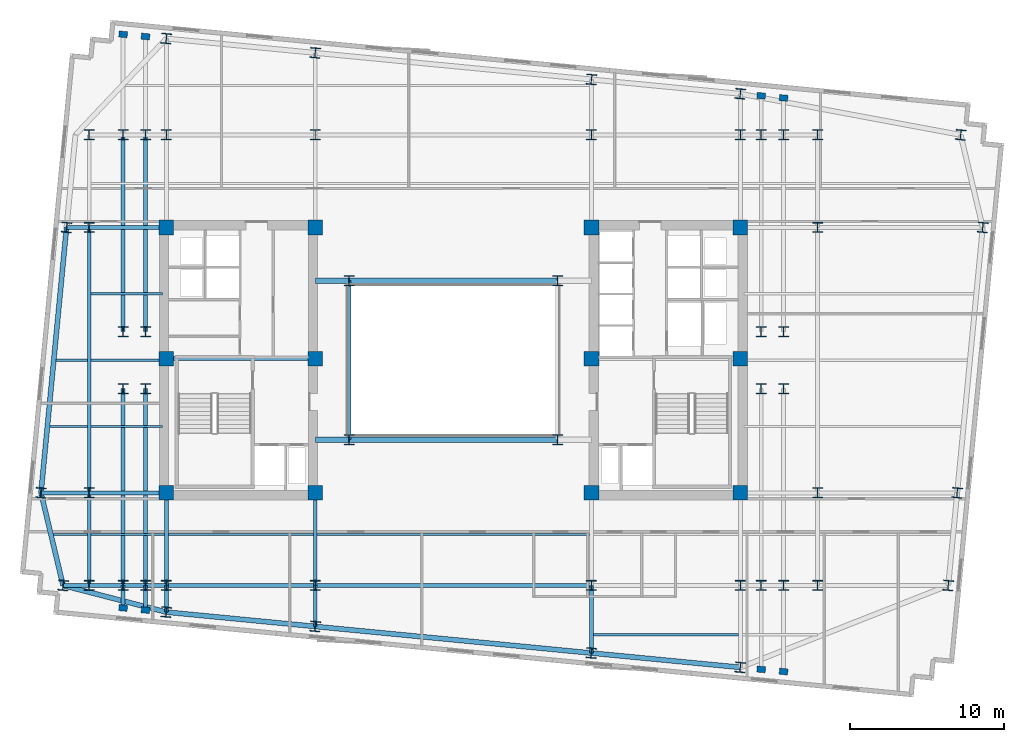
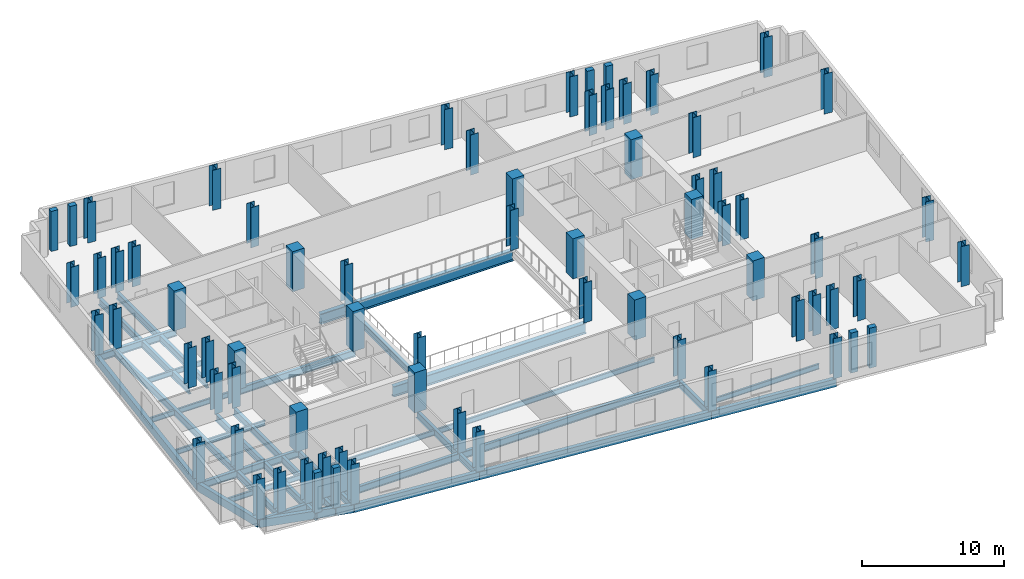
# One storey, part 1 of 9: 71 columns, 43 beams.
"""IFC4 building model written with IfcOpenShell, lengths in metres."""

from ifc_helpers import new_model, si_unit, direction, frame, origin, origin_2d, place, context, subcontext, project, spatial, rectangle, i_section, extrude, material, material_profile, profile_set, type_object, element, save


model = new_model("IFC4")

# Units and contexts
model_context = context("Model", 3, precision=1e-05, world=origin(), true_north=direction((0.0, 1.0)))
body_context = subcontext(model_context, "Body", "Model", "MODEL_VIEW")
ifc_project = project(units=[si_unit("LENGTHUNIT", "METRE"), si_unit("AREAUNIT", "SQUARE_METRE"), si_unit("VOLUMEUNIT", "CUBIC_METRE"), si_unit("PLANEANGLEUNIT", "RADIAN"), si_unit("MASSUNIT", "GRAM", prefix="KILO")], contexts=[model_context])

# Site, building, storey
site_placement = place(None, origin())
site = spatial("IfcSite", under=ifc_project, at=site_placement, CompositionType="ELEMENT")
building_placement = place(site_placement, origin())
building = spatial("IfcBuilding", under=site, at=building_placement, Name="Velakula Bourse", CompositionType="ELEMENT")
storey_placement = place(building_placement, frame((0.0, 0.0, 177.64990234375)))
storey = spatial("IfcBuildingStorey", under=building, at=storey_placement, Name="L48", CompositionType="ELEMENT", Elevation=177.64990234375)

# Columns
ifc_material_1 = material(Name="Concrete M70 (fck 70 MPa)", Category="concrete")
ifc_material_profile_1 = material_profile(ifc_material_1, rectangle(XDim=0.949951171875, YDim=0.949951171875, at=origin_2d()), Name="Concrete M70 (fck 70 MPa)")
ifc_profile_set_1 = profile_set([ifc_material_profile_1], Name="Concrete M70 (fck 70 MPa)")
column_type_1 = type_object("IfcColumnType", Name="COL-RC-950", PredefinedType="COLUMN", material=ifc_profile_set_1)
for number, where, z_axis, x_axis, name in (
    (1, (-8.949951171875, -8.60009765625, 0.0), (0.0, 0.0, 1.0), (1.0, 0.0, 0.0), "L48 Core Boundary Column 01"),
    (2, (-8.949951171875, 0.10009765625, 0.0), (0.0, 0.0, 1.0), (1.0, 0.0, 0.0), "L48 Core Boundary Column 02"),
    (3, (-8.949951171875, 8.60009765625, 0.0), (0.0, 0.0, 1.0), (1.0, 0.0, 0.0), "L48 Core Boundary Column 03"),
    (4, (-18.60009765625, -8.60009765625, 0.0), (0.0, 0.0, 1.0), (1.0, 0.0, 0.0), "L48 Core Boundary Column 04"),
    (5, (-18.60009765625, 0.10009765625, 0.0), (0.0, 0.0, 1.0), (1.0, 0.0, 0.0), "L48 Core Boundary Column 05"),
    (6, (-18.60009765625, 8.60009765625, 0.0), (0.0, 0.0, 1.0), (1.0, 0.0, 0.0), "L48 Core Boundary Column 06"),
    (7, (8.949951171875, -8.60009765625, 0.0), (0.0, 0.0, 1.0), (1.0, 0.0, 0.0), "L48 Core Boundary Column 07"),
    (8, (8.949951171875, 0.10009765625, 0.0), (0.0, 0.0, 1.0), (1.0, 0.0, 0.0), "L48 Core Boundary Column 08"),
    (9, (8.949951171875, 8.60009765625, 0.0), (0.0, 0.0, 1.0), (1.0, 0.0, 0.0), "L48 Core Boundary Column 09"),
    (10, (18.60009765625, -8.60009765625, 0.0), (0.0, 0.0, 1.0), (1.0, 0.0, 0.0), "L48 Core Boundary Column 10"),
    (11, (18.60009765625, 0.10009765625, 0.0), (0.0, 0.0, 1.0), (1.0, 0.0, 0.0), "L48 Core Boundary Column 11"),
    (12, (18.60009765625, 8.60009765625, 0.0), (0.0, 0.0, 1.0), (1.0, 0.0, 0.0), "L48 Core Boundary Column 12"),
):
    element("IfcColumn", number, at=place(storey_placement, frame(where, z_axis=z_axis, x_axis=x_axis)), inside=storey, type_object=column_type_1, Name=name, PredefinedType="COLUMN", context=body_context, shape_type="SweptSolid", body=[
        extrude(rectangle(XDim=0.949951171875, YDim=0.949951171875, at=origin_2d()), origin(), (0.0, 0.0, 1.0), 3.4501953125),
    ])
ifc_material_2 = material(Name="Steel IS 2062 Grade 350 (E350)", Category="steel")
ifc_material_profile_2 = material_profile(ifc_material_2, i_section(OverallWidth=0.64990234375, OverallDepth=0.64990234375, WebThickness=0.028076171875, FlangeThickness=0.0400390625, at=origin_2d()), Name="Steel IS 2062 Grade 350 (E350)")
ifc_profile_set_2 = profile_set([ifc_material_profile_2], Name="Steel IS 2062 Grade 350 (E350)")
column_type_2 = type_object("IfcColumnType", Name="COL-STL-650", PredefinedType="COLUMN", material=ifc_profile_set_2)
for number, where, z_axis, x_axis, name in (
    (13, (-6.75, -5.14990234375, 0.0), (0.0, 0.0, 1.0), (1.0, 0.0, 0.0), "L48 Central Spine Column 01"),
    (14, (-6.75, 5.14990234375, 0.0), (0.0, 0.0, 1.0), (1.0, 0.0, 0.0), "L48 Central Spine Column 02"),
    (15, (6.75, -5.14990234375, 0.0), (0.0, 0.0, 1.0), (1.0, 0.0, 0.0), "L48 Central Spine Column 03"),
    (16, (6.75, 5.14990234375, 0.0), (0.0, 0.0, 1.0), (1.0, 0.0, 0.0), "L48 Central Spine Column 04"),
    (17, (-21.39990234375, -14.60009765625, 0.0), (0.0, 0.0, 1.0), (1.0, 0.0, 0.0), "L48 Tower Fulcrum Column 01"),
    (18, (-21.39990234375, 14.60009765625, 0.0), (0.0, 0.0, 1.0), (1.0, 0.0, 0.0), "L48 Tower Fulcrum Column 02"),
    (19, (-19.949951171875, -14.60009765625, 0.0), (0.0, 0.0, 1.0), (1.0, 0.0, 0.0), "L48 Tower Fulcrum Column 03"),
    (20, (-19.949951171875, 14.60009765625, 0.0), (0.0, 0.0, 1.0), (1.0, 0.0, 0.0), "L48 Tower Fulcrum Column 04"),
    (21, (-18.60009765625, -14.60009765625, 0.0), (0.0, 0.0, 1.0), (1.0, 0.0, 0.0), "L48 Tower Fulcrum Column 05"),
    (22, (-18.60009765625, 14.60009765625, 0.0), (0.0, 0.0, 1.0), (1.0, 0.0, 0.0), "L48 Tower Fulcrum Column 06"),
    (23, (-8.949951171875, -14.60009765625, 0.0), (0.0, 0.0, 1.0), (1.0, 0.0, 0.0), "L48 Tower Fulcrum Column 07"),
    (24, (-8.949951171875, 14.60009765625, 0.0), (0.0, 0.0, 1.0), (1.0, 0.0, 0.0), "L48 Tower Fulcrum Column 08"),
    (25, (8.949951171875, -14.60009765625, 0.0), (0.0, 0.0, 1.0), (1.0, 0.0, 0.0), "L48 Tower Fulcrum Column 09"),
    (26, (8.949951171875, 14.60009765625, 0.0), (0.0, 0.0, 1.0), (1.0, 0.0, 0.0), "L48 Tower Fulcrum Column 10"),
    (27, (18.60009765625, -14.60009765625, 0.0), (0.0, 0.0, 1.0), (1.0, 0.0, 0.0), "L48 Tower Fulcrum Column 11"),
    (28, (18.60009765625, 14.60009765625, 0.0), (0.0, 0.0, 1.0), (1.0, 0.0, 0.0), "L48 Tower Fulcrum Column 12"),
    (29, (19.949951171875, -14.60009765625, 0.0), (0.0, 0.0, 1.0), (1.0, 0.0, 0.0), "L48 Tower Fulcrum Column 13"),
    (30, (19.949951171875, 14.60009765625, 0.0), (0.0, 0.0, 1.0), (1.0, 0.0, 0.0), "L48 Tower Fulcrum Column 14"),
    (31, (21.39990234375, -14.60009765625, 0.0), (0.0, 0.0, 1.0), (1.0, 0.0, 0.0), "L48 Tower Fulcrum Column 15"),
    (32, (21.39990234375, 14.60009765625, 0.0), (0.0, 0.0, 1.0), (1.0, 0.0, 0.0), "L48 Tower Fulcrum Column 16"),
    (33, (-21.39990234375, -1.85009765625, 0.0), (0.0, 0.0, 1.0), (1.0, 0.0, 0.0), "L48 Tower Fulcrum Column 17"),
    (34, (-21.39990234375, 1.85009765625, 0.0), (0.0, 0.0, 1.0), (1.0, 0.0, 0.0), "L48 Tower Fulcrum Column 18"),
    (35, (-19.949951171875, -1.85009765625, 0.0), (0.0, 0.0, 1.0), (1.0, 0.0, 0.0), "L48 Tower Fulcrum Column 19"),
    (36, (-19.949951171875, 1.85009765625, 0.0), (0.0, 0.0, 1.0), (1.0, 0.0, 0.0), "L48 Tower Fulcrum Column 20"),
    (37, (19.949951171875, -1.85009765625, 0.0), (0.0, 0.0, 1.0), (1.0, 0.0, 0.0), "L48 Tower Fulcrum Column 21"),
    (38, (19.949951171875, 1.85009765625, 0.0), (0.0, 0.0, 1.0), (1.0, 0.0, 0.0), "L48 Tower Fulcrum Column 22"),
    (39, (21.39990234375, -1.85009765625, 0.0), (0.0, 0.0, 1.0), (1.0, 0.0, 0.0), "L48 Tower Fulcrum Column 23"),
    (40, (21.39990234375, 1.85009765625, 0.0), (0.0, 0.0, 1.0), (1.0, 0.0, 0.0), "L48 Tower Fulcrum Column 24"),
    (41, (-23.60009765625, -14.60009765625, 0.0), (0.0, 0.0, 1.0), (1.0, 0.0, 0.0), "L48 Mid-Wing Plumb Column 01"),
    (42, (-23.60009765625, -8.60009765625, 0.0), (0.0, 0.0, 1.0), (1.0, 0.0, 0.0), "L48 Mid-Wing Plumb Column 02"),
    (43, (-23.60009765625, 8.60009765625, 0.0), (0.0, 0.0, 1.0), (1.0, 0.0, 0.0), "L48 Mid-Wing Plumb Column 03"),
    (44, (-23.60009765625, 14.60009765625, 0.0), (0.0, 0.0, 1.0), (1.0, 0.0, 0.0), "L48 Mid-Wing Plumb Column 04"),
    (45, (23.60009765625, -14.60009765625, 0.0), (0.0, 0.0, 1.0), (1.0, 0.0, 0.0), "L48 Mid-Wing Plumb Column 05"),
    (46, (23.60009765625, -8.60009765625, 0.0), (0.0, 0.0, 1.0), (1.0, 0.0, 0.0), "L48 Mid-Wing Plumb Column 06"),
    (47, (23.60009765625, 8.60009765625, 0.0), (0.0, 0.0, 1.0), (1.0, 0.0, 0.0), "L48 Mid-Wing Plumb Column 07"),
    (48, (23.60009765625, 14.60009765625, 0.0), (0.0, 0.0, 1.0), (1.0, 0.0, 0.0), "L48 Mid-Wing Plumb Column 08"),
    (49, (-18.60009765625, -16.32861328125, 0.0), (0.0, 0.0, 1.0), (0.995396198367, -0.09584575252, 0.0), "L48 Block B4 Perimeter Column S1"),
    (50, (-8.949951171875, -17.2578125, 0.0), (0.0, 0.0, 1.0), (0.995396198367, -0.09584575252, 0.0), "L48 Block B4 Perimeter Column S2"),
    (51, (8.949951171875, -18.9814453125, 0.0), (0.0, 0.0, 1.0), (0.995396198367, -0.09584575252, 0.0), "L48 Block B4 Perimeter Column S3"),
    (52, (18.60009765625, -19.91064453125, 0.0), (0.0, 0.0, 1.0), (0.995396198367, -0.09584575252, 0.0), "L48 Block B4 Perimeter Column S4"),
    (53, (-18.60009765625, 20.84228515625, 0.0), (0.0, 0.0, 1.0), (0.995396198367, -0.09584575252, 0.0), "L48 Block B4 Perimeter Column N1"),
    (54, (-8.949951171875, 19.9130859375, 0.0), (0.0, 0.0, 1.0), (0.995396198367, -0.09584575252, 0.0), "L48 Block B4 Perimeter Column N2"),
    (55, (8.949951171875, 18.189697265625, 0.0), (0.0, 0.0, 1.0), (0.995396198367, -0.09584575252, 0.0), "L48 Block B4 Perimeter Column N3"),
    (56, (18.60009765625, 17.260498046875, 0.0), (0.0, 0.0, 1.0), (0.995396198367, -0.09584575252, 0.0), "L48 Block B4 Perimeter Column N4"),
    (57, (-25.29296875, -14.60009765625, 0.0), (0.0, 0.0, 1.0), (0.995396198367, -0.09584575252, 0.0), "L48 Block B4 Perimeter Column W1"),
    (58, (-26.724365234375, -8.60009765625, 0.0), (0.0, 0.0, 1.0), (0.995396198367, -0.09584575252, 0.0), "L48 Block B4 Perimeter Column W2"),
    (59, (-25.068115234375, 8.60009765625, 0.0), (0.0, 0.0, 1.0), (0.995396198367, -0.09584575252, 0.0), "L48 Block B4 Perimeter Column W3"),
    (60, (32.0712890625, -14.60009765625, 0.0), (0.0, 0.0, 1.0), (0.995396198367, -0.09584575252, 0.0), "L48 Block B4 Perimeter Column E1"),
    (61, (32.64892578125, -8.60009765625, 0.0), (0.0, 0.0, 1.0), (0.995396198367, -0.09584575252, 0.0), "L48 Block B4 Perimeter Column E2"),
    (62, (34.30517578125, 8.60009765625, 0.0), (0.0, 0.0, 1.0), (0.995396198367, -0.09584575252, 0.0), "L48 Block B4 Perimeter Column E3"),
    (63, (32.87353515625, 14.60009765625, 0.0), (0.0, 0.0, 1.0), (0.995396198367, -0.09584575252, 0.0), "L48 Block B4 Perimeter Column E4"),
):
    element("IfcColumn", number, at=place(storey_placement, frame(where, z_axis=z_axis, x_axis=x_axis)), inside=storey, type_object=column_type_2, Name=name, PredefinedType="COLUMN", context=body_context, shape_type="SweptSolid", body=[
        extrude(i_section(OverallWidth=0.64990234375, OverallDepth=0.64990234375, WebThickness=0.028076171875, FlangeThickness=0.0400390625, at=origin_2d()), origin(), (0.0, 0.0, 1.0), 3.4501953125),
    ])
ifc_material_3 = material(Name="Precast concrete M45 (fck 45 MPa)", Category="concrete")
ifc_material_profile_3 = material_profile(ifc_material_3, rectangle(XDim=0.550048828125, YDim=0.39990234375, at=origin_2d()), Name="Precast concrete M45 (fck 45 MPa)")
ifc_profile_set_3 = profile_set([ifc_material_profile_3], Name="Precast concrete M45 (fck 45 MPa)")
column_type_3 = type_object("IfcColumnType", Name="PIL-BRICK-550", PredefinedType="PILASTER", material=ifc_profile_set_3)
for number, where, z_axis, x_axis, name in (
    (64, (-21.39990234375, -16.05908203125, 0.0), (0.0, 0.0, 1.0), (0.995396198367, -0.09584575252, 0.0), "L48 Brick Pier Pilaster 01"),
    (65, (-19.949951171875, -16.19873046875, 0.0), (0.0, 0.0, 1.0), (0.995396198367, -0.09584575252, 0.0), "L48 Brick Pier Pilaster 02"),
    (66, (19.949951171875, -20.04052734375, 0.0), (0.0, 0.0, 1.0), (0.995396198367, -0.09584575252, 0.0), "L48 Brick Pier Pilaster 03"),
    (67, (21.39990234375, -20.180419921875, 0.0), (0.0, 0.0, 1.0), (0.995396198367, -0.09584575252, 0.0), "L48 Brick Pier Pilaster 04"),
    (68, (-21.39990234375, 21.112060546875, 0.0), (0.0, 0.0, 1.0), (0.995396198367, -0.09584575252, 0.0), "L48 Brick Pier Pilaster 05"),
    (69, (-19.949951171875, 20.972412109375, 0.0), (0.0, 0.0, 1.0), (0.995396198367, -0.09584575252, 0.0), "L48 Brick Pier Pilaster 06"),
    (70, (19.949951171875, 17.130615234375, 0.0), (0.0, 0.0, 1.0), (0.995396198367, -0.09584575252, 0.0), "L48 Brick Pier Pilaster 07"),
    (71, (21.39990234375, 16.990966796875, 0.0), (0.0, 0.0, 1.0), (0.995396198367, -0.09584575252, 0.0), "L48 Brick Pier Pilaster 08"),
):
    element("IfcColumn", number, at=place(storey_placement, frame(where, z_axis=z_axis, x_axis=x_axis)), inside=storey, type_object=column_type_3, Name=name, PredefinedType="PILASTER", context=body_context, shape_type="SweptSolid", body=[
        extrude(rectangle(XDim=0.550048828125, YDim=0.39990234375, at=origin_2d()), origin(), (0.0, 0.0, 1.0), 3.4501953125),
    ])

# Beams
ifc_material_profile_4 = material_profile(ifc_material_2, i_section(OverallWidth=0.25, OverallDepth=0.60009765625, WebThickness=0.01123046875, FlangeThickness=0.021240234375, at=origin_2d()), Name="Steel IS 2062 Grade 350 (E350)")
ifc_profile_set_4 = profile_set([ifc_material_profile_4], Name="Steel IS 2062 Grade 350 (E350)")
beam_type_1 = type_object("IfcBeamType", Name="BM-GRD-600M", PredefinedType="BEAM", material=ifc_profile_set_4)
beam_1_placement = place(storey_placement, frame((-18.60009765625, 0.10009765625, -0.47998046875), z_axis=(1.0, 0.0, 0.0), x_axis=(0.0, 1.0, 0.0)))
element("IfcBeam", 72, at=beam_1_placement, inside=storey, type_object=beam_type_1, Name="L48 Primary Backbone Girder CRW-M", PredefinedType="BEAM", context=body_context, shape_type="SweptSolid", body=[
    extrude(i_section(OverallWidth=0.25, OverallDepth=0.60009765625, WebThickness=0.01123046875, FlangeThickness=0.021240234375, at=origin_2d()), origin(), (0.0, 0.0, 1.0), 9.650146484375),
])
beam_2_placement = place(storey_placement, frame((-6.75, -5.14990234375, -0.47998046875), z_axis=(0.0, 1.0, 0.0), x_axis=(-1.0, 0.0, 0.0)))
element("IfcBeam", 73, at=beam_2_placement, inside=storey, type_object=beam_type_1, Name="L48 Primary Backbone Girder SPN-W", PredefinedType="BEAM", context=body_context, shape_type="SweptSolid", body=[
    extrude(i_section(OverallWidth=0.25, OverallDepth=0.60009765625, WebThickness=0.01123046875, FlangeThickness=0.021240234375, at=origin_2d()), origin(), (0.0, 0.0, 1.0), 10.2998046875),
])
for number, where, z_axis, x_axis, name in (
    (74, (-18.60009765625, -14.60009765625, -0.47998046875), (0.0, 1.0, 0.0), (-1.0, 0.0, 0.0), "L48 Fulcrum Grid Girder FLC-WS"),
    (75, (-8.949951171875, -14.60009765625, -0.47998046875), (0.0, 1.0, 0.0), (-1.0, 0.0, 0.0), "L48 Fulcrum Grid Girder FLC-WCS"),
):
    element("IfcBeam", number, at=place(storey_placement, frame(where, z_axis=z_axis, x_axis=x_axis)), inside=storey, type_object=beam_type_1, Name=name, PredefinedType="BEAM", context=body_context, shape_type="SweptSolid", body=[
        extrude(i_section(OverallWidth=0.25, OverallDepth=0.60009765625, WebThickness=0.01123046875, FlangeThickness=0.021240234375, at=origin_2d()), origin(), (0.0, 0.0, 1.0), 6.0),
    ])
beam_3_placement = place(storey_placement, frame((-18.60009765625, -14.60009765625, -0.47998046875), z_axis=(1.0, 0.0, 0.0), x_axis=(0.0, 1.0, 0.0)))
element("IfcBeam", 76, at=beam_3_placement, inside=storey, type_object=beam_type_1, Name="L48 Fulcrum Grid Girder FLC-S1", PredefinedType="BEAM", context=body_context, shape_type="SweptSolid", body=[
    extrude(i_section(OverallWidth=0.25, OverallDepth=0.60009765625, WebThickness=0.01123046875, FlangeThickness=0.021240234375, at=origin_2d()), origin(), (0.0, 0.0, 1.0), 9.650146484375),
])
beam_4_placement = place(storey_placement, frame((-8.949951171875, -14.60009765625, -0.47998046875), z_axis=(1.0, 0.0, 0.0), x_axis=(0.0, 1.0, 0.0)))
element("IfcBeam", 77, at=beam_4_placement, inside=storey, type_object=beam_type_1, Name="L48 Fulcrum Grid Girder FLC-S2", PredefinedType="BEAM", context=body_context, shape_type="SweptSolid", body=[
    extrude(i_section(OverallWidth=0.25, OverallDepth=0.60009765625, WebThickness=0.01123046875, FlangeThickness=0.021240234375, at=origin_2d()), origin(), (0.0, 0.0, 1.0), 17.89990234375),
])
for number, where, z_axis, x_axis, name in (
    (78, (-21.39990234375, -14.60009765625, -0.47998046875), (0.0, 1.0, 0.0), (-1.0, 0.0, 0.0), "L48 Fulcrum Grid Girder FLC-PSW1"),
    (79, (-21.39990234375, 1.85009765625, -0.47998046875), (0.0, 1.0, 0.0), (-1.0, 0.0, 0.0), "L48 Fulcrum Grid Girder FLC-PNW1"),
    (80, (-19.949951171875, -14.60009765625, -0.47998046875), (0.0, 1.0, 0.0), (-1.0, 0.0, 0.0), "L48 Fulcrum Grid Girder FLC-PSW2"),
    (81, (-19.949951171875, 1.85009765625, -0.47998046875), (0.0, 1.0, 0.0), (-1.0, 0.0, 0.0), "L48 Fulcrum Grid Girder FLC-PNW2"),
):
    element("IfcBeam", number, at=place(storey_placement, frame(where, z_axis=z_axis, x_axis=x_axis)), inside=storey, type_object=beam_type_1, Name=name, PredefinedType="BEAM", context=body_context, shape_type="SweptSolid", body=[
        extrude(i_section(OverallWidth=0.25, OverallDepth=0.60009765625, WebThickness=0.01123046875, FlangeThickness=0.021240234375, at=origin_2d()), origin(), (0.0, 0.0, 1.0), 12.75),
    ])
for number, where, z_axis, x_axis, name in (
    (82, (-23.60009765625, -14.60009765625, -0.47998046875), (1.0, 0.0, 0.0), (0.0, 1.0, 0.0), "L48 Fulcrum Grid Girder MWG-WS1"),
    (83, (-23.60009765625, -8.60009765625, -0.47998046875), (1.0, 0.0, 0.0), (0.0, 1.0, 0.0), "L48 Fulcrum Grid Girder MWG-WS2"),
    (84, (-23.60009765625, 8.60009765625, -0.47998046875), (1.0, 0.0, 0.0), (0.0, 1.0, 0.0), "L48 Fulcrum Grid Girder MWG-WN1"),
):
    element("IfcBeam", number, at=place(storey_placement, frame(where, z_axis=z_axis, x_axis=x_axis)), inside=storey, type_object=beam_type_1, Name=name, PredefinedType="BEAM", context=body_context, shape_type="SweptSolid", body=[
        extrude(i_section(OverallWidth=0.25, OverallDepth=0.60009765625, WebThickness=0.01123046875, FlangeThickness=0.021240234375, at=origin_2d()), origin(), (0.0, 0.0, 1.0), 5.0),
    ])
beam_5_placement = place(storey_placement, frame((-23.60009765625, -14.60009765625, -0.47998046875), z_axis=(0.0, 1.0, 0.0), x_axis=(-1.0, 0.0, 0.0)))
element("IfcBeam", 85, at=beam_5_placement, inside=storey, type_object=beam_type_1, Name="L48 Fulcrum Grid Girder MWG-WNS1", PredefinedType="BEAM", context=body_context, shape_type="SweptSolid", body=[
    extrude(i_section(OverallWidth=0.25, OverallDepth=0.60009765625, WebThickness=0.01123046875, FlangeThickness=0.021240234375, at=origin_2d()), origin(), (0.0, 0.0, 1.0), 6.0),
])
beam_6_placement = place(storey_placement, frame((-23.60009765625, -8.60009765625, -0.47998046875), z_axis=(0.0, 1.0, 0.0), x_axis=(-1.0, 0.0, 0.0)))
element("IfcBeam", 86, at=beam_6_placement, inside=storey, type_object=beam_type_1, Name="L48 Fulcrum Grid Girder MWG-WNS2", PredefinedType="BEAM", context=body_context, shape_type="SweptSolid", body=[
    extrude(i_section(OverallWidth=0.25, OverallDepth=0.60009765625, WebThickness=0.01123046875, FlangeThickness=0.021240234375, at=origin_2d()), origin(), (0.0, 0.0, 1.0), 17.2001953125),
])
beam_7_placement = place(storey_placement, frame((-18.60009765625, -14.60009765625, -0.47998046875), z_axis=(0.0, -1.0, 0.0), x_axis=(1.0, 0.0, 0.0)))
element("IfcBeam", 87, at=beam_7_placement, inside=storey, type_object=beam_type_1, Name="L48 Perimeter Tie Girder S1", PredefinedType="BEAM", context=body_context, shape_type="SweptSolid", body=[
    extrude(i_section(OverallWidth=0.25, OverallDepth=0.60009765625, WebThickness=0.01123046875, FlangeThickness=0.021240234375, at=origin_2d()), origin(), (0.0, 0.0, 1.0), 1.728515625),
])
beam_8_placement = place(storey_placement, frame((-8.949951171875, -14.60009765625, -0.47998046875), z_axis=(0.0, -1.0, 0.0), x_axis=(1.0, 0.0, 0.0)))
element("IfcBeam", 88, at=beam_8_placement, inside=storey, type_object=beam_type_1, Name="L48 Perimeter Tie Girder S2", PredefinedType="BEAM", context=body_context, shape_type="SweptSolid", body=[
    extrude(i_section(OverallWidth=0.25, OverallDepth=0.60009765625, WebThickness=0.01123046875, FlangeThickness=0.021240234375, at=origin_2d()), origin(), (0.0, 0.0, 1.0), 2.65771484375),
])
beam_9_placement = place(storey_placement, frame((8.949951171875, -14.60009765625, -0.47998046875), z_axis=(0.0, -1.0, 0.0), x_axis=(1.0, 0.0, 0.0)))
element("IfcBeam", 89, at=beam_9_placement, inside=storey, type_object=beam_type_1, Name="L48 Perimeter Tie Girder S3", PredefinedType="BEAM", context=body_context, shape_type="SweptSolid", body=[
    extrude(i_section(OverallWidth=0.25, OverallDepth=0.60009765625, WebThickness=0.01123046875, FlangeThickness=0.021240234375, at=origin_2d()), origin(), (0.0, 0.0, 1.0), 4.38134765625),
])
beam_10_placement = place(storey_placement, frame((-23.60009765625, -14.60009765625, -0.47998046875), z_axis=(-1.0, 0.0, 0.0), x_axis=(0.0, -1.0, 0.0)))
element("IfcBeam", 90, at=beam_10_placement, inside=storey, type_object=beam_type_1, Name="L48 Perimeter Tie Girder W1", PredefinedType="BEAM", context=body_context, shape_type="SweptSolid", body=[
    extrude(i_section(OverallWidth=0.25, OverallDepth=0.60009765625, WebThickness=0.01123046875, FlangeThickness=0.021240234375, at=origin_2d()), origin(), (0.0, 0.0, 1.0), 1.69287109375),
])
beam_11_placement = place(storey_placement, frame((-23.60009765625, -8.60009765625, -0.47998046875), z_axis=(-1.0, 0.0, 0.0), x_axis=(0.0, -1.0, 0.0)))
element("IfcBeam", 91, at=beam_11_placement, inside=storey, type_object=beam_type_1, Name="L48 Perimeter Tie Girder W2", PredefinedType="BEAM", context=body_context, shape_type="SweptSolid", body=[
    extrude(i_section(OverallWidth=0.25, OverallDepth=0.60009765625, WebThickness=0.01123046875, FlangeThickness=0.021240234375, at=origin_2d()), origin(), (0.0, 0.0, 1.0), 3.124267578125),
])
beam_12_placement = place(storey_placement, frame((-23.60009765625, 8.60009765625, -0.47998046875), z_axis=(-1.0, 0.0, 0.0), x_axis=(0.0, -1.0, 0.0)))
element("IfcBeam", 92, at=beam_12_placement, inside=storey, type_object=beam_type_1, Name="L48 Perimeter Tie Girder W3", PredefinedType="BEAM", context=body_context, shape_type="SweptSolid", body=[
    extrude(i_section(OverallWidth=0.25, OverallDepth=0.60009765625, WebThickness=0.01123046875, FlangeThickness=0.021240234375, at=origin_2d()), origin(), (0.0, 0.0, 1.0), 1.468017578125),
])
beam_13_placement = place(storey_placement, frame((-21.39990234375, -14.60009765625, -0.47998046875), z_axis=(0.0, -1.0, 0.0), x_axis=(1.0, 0.0, 0.0)))
element("IfcBeam", 93, at=beam_13_placement, inside=storey, type_object=beam_type_1, Name="L48 Perimeter Tie Girder P01", PredefinedType="BEAM", context=body_context, shape_type="SweptSolid", body=[
    extrude(i_section(OverallWidth=0.25, OverallDepth=0.60009765625, WebThickness=0.01123046875, FlangeThickness=0.021240234375, at=origin_2d()), origin(), (0.0, 0.0, 1.0), 1.458984375),
])
beam_14_placement = place(storey_placement, frame((-19.949951171875, -14.60009765625, -0.47998046875), z_axis=(0.0, -1.0, 0.0), x_axis=(1.0, 0.0, 0.0)))
element("IfcBeam", 94, at=beam_14_placement, inside=storey, type_object=beam_type_1, Name="L48 Perimeter Tie Girder P02", PredefinedType="BEAM", context=body_context, shape_type="SweptSolid", body=[
    extrude(i_section(OverallWidth=0.25, OverallDepth=0.60009765625, WebThickness=0.01123046875, FlangeThickness=0.021240234375, at=origin_2d()), origin(), (0.0, 0.0, 1.0), 1.5986328125),
])
ifc_material_profile_5 = material_profile(ifc_material_2, i_section(OverallWidth=0.35009765625, OverallDepth=0.89990234375, WebThickness=0.02001953125, FlangeThickness=0.031982421875, at=origin_2d()), Name="Steel IS 2062 Grade 350 (E350)")
ifc_profile_set_5 = profile_set([ifc_material_profile_5], Name="Steel IS 2062 Grade 350 (E350)")
beam_type_2 = type_object("IfcBeamType", Name="BM-LNK-900", PredefinedType="BEAM", material=ifc_profile_set_5)
beam_15_placement = place(storey_placement, frame((-8.949951171875, -5.14990234375, -0.6298828125), z_axis=(1.0, 0.0, 0.0), x_axis=(0.0, 1.0, 0.0)))
element("IfcBeam", 95, at=beam_15_placement, inside=storey, type_object=beam_type_2, Name="L48 Primary Backbone Girder LNK-S1", PredefinedType="BEAM", context=body_context, shape_type="SweptSolid", body=[
    extrude(i_section(OverallWidth=0.35009765625, OverallDepth=0.89990234375, WebThickness=0.02001953125, FlangeThickness=0.031982421875, at=origin_2d()), origin(), (0.0, 0.0, 1.0), 2.199951171875),
])
beam_16_placement = place(storey_placement, frame((-6.75, -5.14990234375, -0.6298828125), z_axis=(1.0, 0.0, 0.0), x_axis=(0.0, 1.0, 0.0)))
element("IfcBeam", 96, at=beam_16_placement, inside=storey, type_object=beam_type_2, Name="L48 Primary Backbone Girder LNK-S2", PredefinedType="BEAM", context=body_context, shape_type="SweptSolid", body=[
    extrude(i_section(OverallWidth=0.35009765625, OverallDepth=0.89990234375, WebThickness=0.02001953125, FlangeThickness=0.031982421875, at=origin_2d()), origin(), (0.0, 0.0, 1.0), 13.5),
])
beam_17_placement = place(storey_placement, frame((-8.949951171875, 5.14990234375, -0.6298828125), z_axis=(1.0, 0.0, 0.0), x_axis=(0.0, 1.0, 0.0)))
element("IfcBeam", 97, at=beam_17_placement, inside=storey, type_object=beam_type_2, Name="L48 Primary Backbone Girder LNK-N1", PredefinedType="BEAM", context=body_context, shape_type="SweptSolid", body=[
    extrude(i_section(OverallWidth=0.35009765625, OverallDepth=0.89990234375, WebThickness=0.02001953125, FlangeThickness=0.031982421875, at=origin_2d()), origin(), (0.0, 0.0, 1.0), 2.199951171875),
])
beam_18_placement = place(storey_placement, frame((-6.75, 5.14990234375, -0.6298828125), z_axis=(1.0, 0.0, 0.0), x_axis=(0.0, 1.0, 0.0)))
element("IfcBeam", 98, at=beam_18_placement, inside=storey, type_object=beam_type_2, Name="L48 Primary Backbone Girder LNK-N2", PredefinedType="BEAM", context=body_context, shape_type="SweptSolid", body=[
    extrude(i_section(OverallWidth=0.35009765625, OverallDepth=0.89990234375, WebThickness=0.02001953125, FlangeThickness=0.031982421875, at=origin_2d()), origin(), (0.0, 0.0, 1.0), 13.5),
])
ifc_material_profile_6 = material_profile(ifc_material_2, i_section(OverallWidth=0.14990234375, OverallDepth=0.449951171875, WebThickness=0.009521484375, FlangeThickness=0.017333984375, at=origin_2d()), Name="Steel IS 2062 Grade 350 (E350)")
ifc_profile_set_6 = profile_set([ifc_material_profile_6], Name="Steel IS 2062 Grade 350 (E350)")
beam_type_3 = type_object("IfcBeamType", Name="JST-TWR-450", PredefinedType="JOIST", material=ifc_profile_set_6)
beam_19_placement = place(storey_placement, frame((9.074951171875, -17.800048828125, -0.40478515625), z_axis=(1.0, 0.0, 0.0), x_axis=(0.0, 1.0, 0.0)))
element("IfcBeam", 99, at=beam_19_placement, inside=storey, type_object=beam_type_3, Name="L48 Trading Floor Composite Joist 02", PredefinedType="JOIST", context=body_context, shape_type="SweptSolid", body=[
    extrude(i_section(OverallWidth=0.14990234375, OverallDepth=0.449951171875, WebThickness=0.009521484375, FlangeThickness=0.017333984375, at=origin_2d()), origin(), (0.0, 0.0, 1.0), 9.400146484375),
])
beam_20_placement = place(storey_placement, frame((-25.915771484375, -11.300048828125, -0.40478515625), z_axis=(1.0, 0.0, 0.0), x_axis=(0.0, 1.0, 0.0)))
element("IfcBeam", 100, at=beam_20_placement, inside=storey, type_object=beam_type_3, Name="L48 Trading Floor Composite Joist 04", PredefinedType="JOIST", context=body_context, shape_type="SweptSolid", body=[
    extrude(i_section(OverallWidth=0.14990234375, OverallDepth=0.449951171875, WebThickness=0.009521484375, FlangeThickness=0.017333984375, at=origin_2d()), origin(), (0.0, 0.0, 1.0), 2.190673828125),
])
beam_21_placement = place(storey_placement, frame((-23.47509765625, -11.300048828125, -0.40478515625), z_axis=(1.0, 0.0, 0.0), x_axis=(0.0, 1.0, 0.0)))
element("IfcBeam", 101, at=beam_21_placement, inside=storey, type_object=beam_type_3, Name="L48 Trading Floor Composite Joist 05", PredefinedType="JOIST", context=body_context, shape_type="SweptSolid", body=[
    extrude(i_section(OverallWidth=0.14990234375, OverallDepth=0.449951171875, WebThickness=0.009521484375, FlangeThickness=0.017333984375, at=origin_2d()), origin(), (0.0, 0.0, 1.0), 4.75),
])
beam_22_placement = place(storey_placement, frame((-18.47509765625, -11.300048828125, -0.40478515625), z_axis=(1.0, 0.0, 0.0), x_axis=(0.0, 1.0, 0.0)))
element("IfcBeam", 102, at=beam_22_placement, inside=storey, type_object=beam_type_3, Name="L48 Trading Floor Composite Joist 06", PredefinedType="JOIST", context=body_context, shape_type="SweptSolid", body=[
    extrude(i_section(OverallWidth=0.14990234375, OverallDepth=0.449951171875, WebThickness=0.009521484375, FlangeThickness=0.017333984375, at=origin_2d()), origin(), (0.0, 0.0, 1.0), 9.400146484375),
])
beam_23_placement = place(storey_placement, frame((-8.824951171875, -11.300048828125, -0.40478515625), z_axis=(1.0, 0.0, 0.0), x_axis=(0.0, 1.0, 0.0)))
element("IfcBeam", 103, at=beam_23_placement, inside=storey, type_object=beam_type_3, Name="L48 Trading Floor Composite Joist 07", PredefinedType="JOIST", context=body_context, shape_type="SweptSolid", body=[
    extrude(i_section(OverallWidth=0.14990234375, OverallDepth=0.449951171875, WebThickness=0.009521484375, FlangeThickness=0.017333984375, at=origin_2d()), origin(), (0.0, 0.0, 1.0), 17.64990234375),
])
beam_24_placement = place(storey_placement, frame((-26.149658203125, -4.300048828125, -0.40478515625), z_axis=(1.0, 0.0, 0.0), x_axis=(0.0, 1.0, 0.0)))
element("IfcBeam", 104, at=beam_24_placement, inside=storey, type_object=beam_type_3, Name="L48 Trading Floor Composite Joist 21", PredefinedType="JOIST", context=body_context, shape_type="SweptSolid", body=[
    extrude(i_section(OverallWidth=0.14990234375, OverallDepth=0.449951171875, WebThickness=0.009521484375, FlangeThickness=0.017333984375, at=origin_2d()), origin(), (0.0, 0.0, 1.0), 2.424560546875),
])
beam_25_placement = place(storey_placement, frame((-23.47509765625, -4.300048828125, -0.40478515625), z_axis=(1.0, 0.0, 0.0), x_axis=(0.0, 1.0, 0.0)))
element("IfcBeam", 105, at=beam_25_placement, inside=storey, type_object=beam_type_3, Name="L48 Trading Floor Composite Joist 22", PredefinedType="JOIST", context=body_context, shape_type="SweptSolid", body=[
    extrude(i_section(OverallWidth=0.14990234375, OverallDepth=0.449951171875, WebThickness=0.009521484375, FlangeThickness=0.017333984375, at=origin_2d()), origin(), (0.0, 0.0, 1.0), 4.625),
])
beam_26_placement = place(storey_placement, frame((-25.735595703125, 0.0, -0.40478515625), z_axis=(1.0, 0.0, 0.0), x_axis=(0.0, 1.0, 0.0)))
element("IfcBeam", 106, at=beam_26_placement, inside=storey, type_object=beam_type_3, Name="L48 Trading Floor Composite Joist 25", PredefinedType="JOIST", context=body_context, shape_type="SweptSolid", body=[
    extrude(i_section(OverallWidth=0.14990234375, OverallDepth=0.449951171875, WebThickness=0.009521484375, FlangeThickness=0.017333984375, at=origin_2d()), origin(), (0.0, 0.0, 1.0), 2.010498046875),
])
for number, where, z_axis, x_axis, name in (
    (107, (-23.47509765625, 0.0, -0.40478515625), (1.0, 0.0, 0.0), (0.0, 1.0, 0.0), "L48 Trading Floor Composite Joist 26"),
    (108, (-23.47509765625, 4.300048828125, -0.40478515625), (1.0, 0.0, 0.0), (0.0, 1.0, 0.0), "L48 Trading Floor Composite Joist 29"),
):
    element("IfcBeam", number, at=place(storey_placement, frame(where, z_axis=z_axis, x_axis=x_axis)), inside=storey, type_object=beam_type_3, Name=name, PredefinedType="JOIST", context=body_context, shape_type="SweptSolid", body=[
        extrude(i_section(OverallWidth=0.14990234375, OverallDepth=0.449951171875, WebThickness=0.009521484375, FlangeThickness=0.017333984375, at=origin_2d()), origin(), (0.0, 0.0, 1.0), 4.625),
    ])
ifc_material_profile_7 = material_profile(ifc_material_3, rectangle(XDim=0.320068359375, YDim=0.679931640625, at=origin_2d()), Name="Precast concrete M45 (fck 45 MPa)")
ifc_profile_set_7 = profile_set([ifc_material_profile_7], Name="Precast concrete M45 (fck 45 MPa)")
beam_type_4 = type_object("IfcBeamType", Name="SPN-BRICK-680", PredefinedType="SPANDREL", material=ifc_profile_set_7)
beam_27_placement = place(storey_placement, frame((-18.60009765625, -16.32861328125, -0.52001953125), z_axis=(0.99539623971, -0.095845323155, 0.0), x_axis=(0.095845323155, 0.99539623971, 0.0)))
element("IfcBeam", 109, at=beam_27_placement, inside=storey, type_object=beam_type_4, Name="L48 Brick-Faced Precast Spandrel S1-S2", PredefinedType="SPANDREL", context=body_context, shape_type="SweptSolid", body=[
    extrude(rectangle(XDim=0.320068359375, YDim=0.679931640625, at=origin_2d()), origin(), (0.0, 0.0, 1.0), 9.69482421875),
])
beam_28_placement = place(storey_placement, frame((-8.949951171875, -17.2578125, -0.52001953125), z_axis=(0.995395836254, -0.095849513134, 0.0), x_axis=(0.095849513134, 0.995395836254, 0.0)))
element("IfcBeam", 110, at=beam_28_placement, inside=storey, type_object=beam_type_4, Name="L48 Brick-Faced Precast Spandrel S2-S3", PredefinedType="SPANDREL", context=body_context, shape_type="SweptSolid", body=[
    extrude(rectangle(XDim=0.320068359375, YDim=0.679931640625, at=origin_2d()), origin(), (0.0, 0.0, 1.0), 17.982666015625),
])
beam_29_placement = place(storey_placement, frame((8.949951171875, -18.9814453125, -0.52001953125), z_axis=(0.99539623971, -0.095845323155, 0.0), x_axis=(0.095845323155, 0.99539623971, 0.0)))
element("IfcBeam", 111, at=beam_29_placement, inside=storey, type_object=beam_type_4, Name="L48 Brick-Faced Precast Spandrel S3-S4", PredefinedType="SPANDREL", context=body_context, shape_type="SweptSolid", body=[
    extrude(rectangle(XDim=0.320068359375, YDim=0.679931640625, at=origin_2d()), origin(), (0.0, 0.0, 1.0), 9.69482421875),
])
beam_30_placement = place(storey_placement, frame((-25.29296875, -14.60009765625, -0.52001953125), z_axis=(-0.232053924044, 0.97270292296, 0.0), x_axis=(-0.97270292296, -0.232053924044, 0.0)))
element("IfcBeam", 112, at=beam_30_placement, inside=storey, type_object=beam_type_4, Name="L48 Brick-Faced Precast Spandrel W1-W2", PredefinedType="SPANDREL", context=body_context, shape_type="SweptSolid", body=[
    extrude(rectangle(XDim=0.320068359375, YDim=0.679931640625, at=origin_2d()), origin(), (0.0, 0.0, 1.0), 6.16845703125),
])
beam_31_placement = place(storey_placement, frame((-26.724365234375, -8.60009765625, -0.52001953125), z_axis=(0.095849167925, 0.995395869495, 0.0), x_axis=(-0.995395869495, 0.095849167925, 0.0)))
element("IfcBeam", 113, at=beam_31_placement, inside=storey, type_object=beam_type_4, Name="L48 Brick-Faced Precast Spandrel W2-W3", PredefinedType="SPANDREL", context=body_context, shape_type="SweptSolid", body=[
    extrude(rectangle(XDim=0.320068359375, YDim=0.679931640625, at=origin_2d()), origin(), (0.0, 0.0, 1.0), 17.27978515625),
])
beam_32_placement = place(storey_placement, frame((-25.29296875, -14.60009765625, -0.52001953125), z_axis=(0.968230996313, -0.250057468954, 0.0), x_axis=(0.250057468954, 0.968230996313, 0.0)))
element("IfcBeam", 114, at=beam_32_placement, inside=storey, type_object=beam_type_4, Name="L48 Brick-Faced Precast Spandrel W1-S1", PredefinedType="SPANDREL", context=body_context, shape_type="SweptSolid", body=[
    extrude(rectangle(XDim=0.320068359375, YDim=0.679931640625, at=origin_2d()), origin(), (0.0, 0.0, 1.0), 6.912353515625),
])

save(model, "model.ifc")
